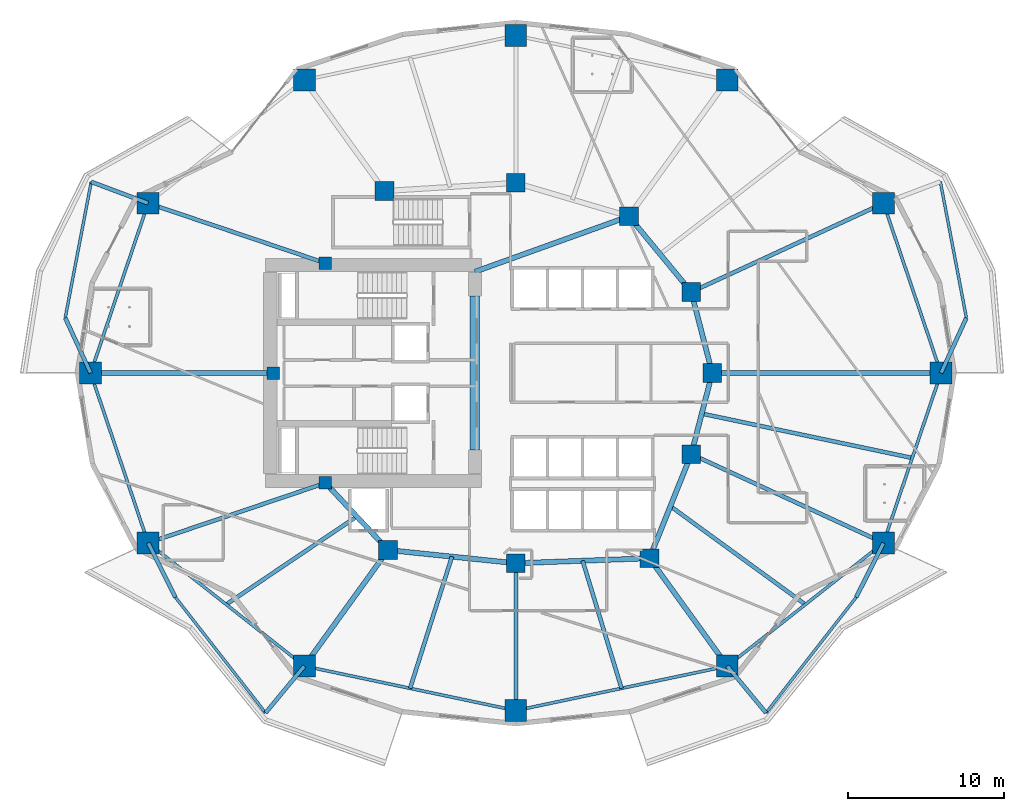
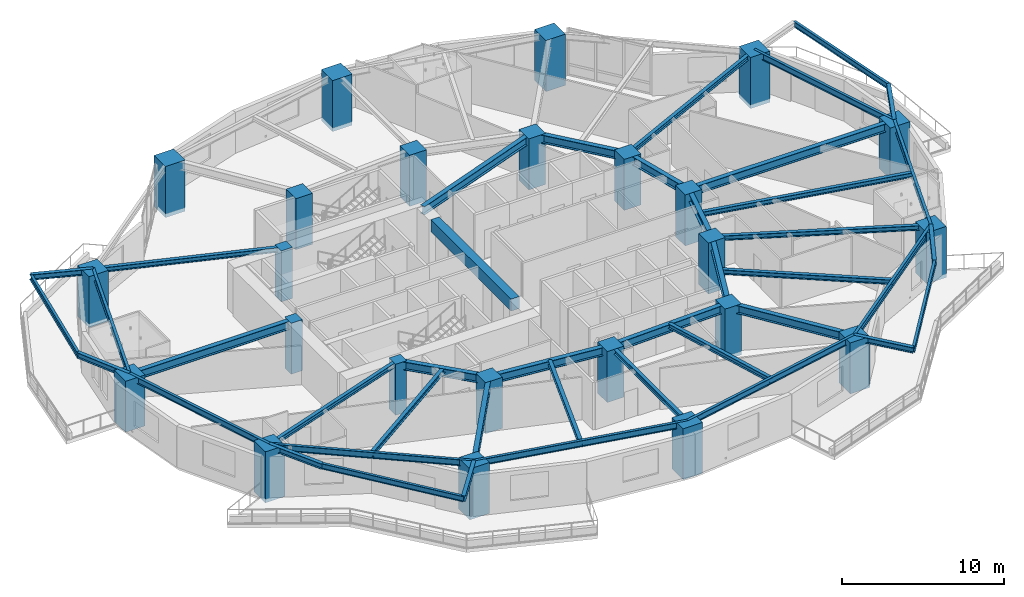
# One storey, part 1 of 18: 42 beams, 24 columns.
"""IFC4 building model written with IfcOpenShell, lengths in metres."""

from ifc_helpers import new_model, si_unit, direction, frame, origin, origin_2d, place, context, subcontext, project, spatial, rectangle, i_section, extrude, material, material_profile, profile_set, type_object, element, save


model = new_model("IFC4")

# Units and contexts
model_context = context("Model", 3, precision=1e-05, world=origin(), true_north=direction((0.0, 1.0)))
body_context = subcontext(model_context, "Body", "Model", "MODEL_VIEW")
ifc_project = project(units=[si_unit("LENGTHUNIT", "METRE"), si_unit("AREAUNIT", "SQUARE_METRE"), si_unit("VOLUMEUNIT", "CUBIC_METRE"), si_unit("PLANEANGLEUNIT", "RADIAN"), si_unit("MASSUNIT", "GRAM", prefix="KILO")], contexts=[model_context])

# Site, building, storey
site_placement = place(None, origin())
site = spatial("IfcSite", under=ifc_project, at=site_placement, CompositionType="ELEMENT")
building_placement = place(site_placement, origin())
building = spatial("IfcBuilding", under=site, at=building_placement, Name="Kolvaren Gate Tower and Convention Centre", CompositionType="ELEMENT")
storey_placement = place(building_placement, frame((0.0, 0.0, 30.35009765625)))
storey = spatial("IfcBuildingStorey", under=building, at=storey_placement, Name="L06", CompositionType="ELEMENT", Elevation=30.35009765625)

# Columns
ifc_material_1 = material(Name="Concrete C70/85", Category="concrete")
ifc_material_profile_1 = material_profile(ifc_material_1, rectangle(XDim=1.199951171875, YDim=1.199951171875, at=origin_2d()), Name="RC-COL-1200X1200")
ifc_profile_set_1 = profile_set([ifc_material_profile_1], Name="Concrete C70/85")
column_type_1 = type_object("IfcColumnType", Name="STR-COL-RC1200", PredefinedType="COLUMN", material=ifc_profile_set_1)
for number, where, z_axis, x_axis, name in (
    (1, (42.72509765625, 27.0, -0.280029296875), (0.0, 0.0, 1.0), (1.0, 0.0, 0.0), "Tower L06 Interior Column TI-01"),
    (2, (41.382080078125, 32.199462890625, -0.280029296875), (0.0, 0.0, 1.0), (1.0, 0.0, 0.0), "Tower L06 Interior Column TI-02"),
    (3, (37.381591796875, 37.054931640625, -0.280029296875), (0.0, 0.0, 1.0), (1.0, 0.0, 0.0), "Tower L06 Interior Column TI-03"),
    (4, (30.125, 39.199951171875, -0.280029296875), (0.0, 0.0, 1.0), (1.0, 0.0, 0.0), "Tower L06 Interior Column TI-04"),
    (5, (21.697998046875, 38.6767578125, -0.280029296875), (0.0, 0.0, 1.0), (1.0, 0.0, 0.0), "Tower L06 Interior Column TI-05"),
    (6, (21.93212890625, 15.647705078125, -0.280029296875), (0.0, 0.0, 1.0), (1.0, 0.0, 0.0), "Tower L06 Interior Column TI-06"),
    (7, (30.125, 14.800048828125, -0.280029296875), (0.0, 0.0, 1.0), (1.0, 0.0, 0.0), "Tower L06 Interior Column TI-07"),
    (8, (38.6982421875, 15.12060546875, -0.280029296875), (0.0, 0.0, 1.0), (1.0, 0.0, 0.0), "Tower L06 Interior Column TI-08"),
    (9, (41.382080078125, 21.800537109375, -0.280029296875), (0.0, 0.0, 1.0), (1.0, 0.0, 0.0), "Tower L06 Interior Column TI-09"),
):
    element("IfcColumn", number, at=place(storey_placement, frame(where, z_axis=z_axis, x_axis=x_axis)), inside=storey, type_object=column_type_1, Name=name, PredefinedType="COLUMN", context=body_context, shape_type="SweptSolid", body=[
        extrude(rectangle(XDim=1.199951171875, YDim=1.199951171875, at=origin_2d()), origin(), (0.0, 0.0, 1.0), 3.849853515625),
    ])
ifc_material_profile_2 = material_profile(ifc_material_1, rectangle(XDim=1.39990234375, YDim=1.39990234375, at=origin_2d()), Name="RC-COL-1400X1400")
ifc_profile_set_2 = profile_set([ifc_material_profile_2], Name="Concrete C70/85")
column_type_2 = type_object("IfcColumnType", Name="STR-COL-RC1400", PredefinedType="COLUMN", material=ifc_profile_set_2)
for number, where, z_axis, x_axis, name in (
    (10, (57.39990234375, 27.0, -0.280029296875), (0.0, 0.0, 1.0), (1.0, 0.0, 0.0), "Tower L06 Perimeter Supercolumn TP-01"),
    (11, (53.710205078125, 37.8935546875, -0.280029296875), (0.0, 0.0, 1.0), (1.0, 0.0, 0.0), "Tower L06 Perimeter Supercolumn TP-02"),
    (12, (43.690185546875, 45.79638671875, -0.280029296875), (0.0, 0.0, 1.0), (1.0, 0.0, 0.0), "Tower L06 Perimeter Supercolumn TP-03"),
    (13, (30.125, 48.64990234375, -0.280029296875), (0.0, 0.0, 1.0), (1.0, 0.0, 0.0), "Tower L06 Perimeter Supercolumn TP-04"),
    (14, (16.559814453125, 45.79638671875, -0.280029296875), (0.0, 0.0, 1.0), (1.0, 0.0, 0.0), "Tower L06 Perimeter Supercolumn TP-05"),
    (15, (6.539794921875, 37.8935546875, -0.280029296875), (0.0, 0.0, 1.0), (1.0, 0.0, 0.0), "Tower L06 Perimeter Supercolumn TP-06"),
    (16, (2.85009765625, 27.0, -0.280029296875), (0.0, 0.0, 1.0), (1.0, 0.0, 0.0), "Tower L06 Perimeter Supercolumn TP-07"),
    (17, (6.539794921875, 16.1064453125, -0.280029296875), (0.0, 0.0, 1.0), (1.0, 0.0, 0.0), "Tower L06 Perimeter Supercolumn TP-08"),
    (18, (16.559814453125, 8.20361328125, -0.280029296875), (0.0, 0.0, 1.0), (1.0, 0.0, 0.0), "Tower L06 Perimeter Supercolumn TP-09"),
    (19, (30.125, 5.35009765625, -0.280029296875), (0.0, 0.0, 1.0), (1.0, 0.0, 0.0), "Tower L06 Perimeter Supercolumn TP-10"),
    (20, (43.690185546875, 8.20361328125, -0.280029296875), (0.0, 0.0, 1.0), (1.0, 0.0, 0.0), "Tower L06 Perimeter Supercolumn TP-11"),
    (21, (53.710205078125, 16.1064453125, -0.280029296875), (0.0, 0.0, 1.0), (1.0, 0.0, 0.0), "Tower L06 Perimeter Supercolumn TP-12"),
):
    element("IfcColumn", number, at=place(storey_placement, frame(where, z_axis=z_axis, x_axis=x_axis)), inside=storey, type_object=column_type_2, Name=name, PredefinedType="COLUMN", context=body_context, shape_type="SweptSolid", body=[
        extrude(rectangle(XDim=1.39990234375, YDim=1.39990234375, at=origin_2d()), origin(), (0.0, 0.0, 1.0), 3.849853515625),
    ])
ifc_material_2 = material(Name="Concrete C60/75", Category="concrete")
ifc_material_profile_3 = material_profile(ifc_material_2, rectangle(XDim=0.800048828125, YDim=0.800048828125, at=origin_2d()), Name="RC-COL-800X800")
ifc_profile_set_3 = profile_set([ifc_material_profile_3], Name="Concrete C60/75")
column_type_3 = type_object("IfcColumnType", Name="STR-PIL-RC800", PredefinedType="PILASTER", material=ifc_profile_set_3)
for number, where, z_axis, x_axis, name in (
    (22, (17.9140625, 34.050048828125, -0.280029296875), (0.0, 0.0, 1.0), (1.0, 0.0, 0.0), "Tower L06 Core Boundary Pilaster TC-05"),
    (23, (14.550048828125, 27.0, -0.280029296875), (0.0, 0.0, 1.0), (1.0, 0.0, 0.0), "Tower L06 Core Boundary Pilaster TC-06"),
    (24, (17.9140625, 19.949951171875, -0.280029296875), (0.0, 0.0, 1.0), (1.0, 0.0, 0.0), "Tower L06 Core Boundary Pilaster TC-07"),
):
    element("IfcColumn", number, at=place(storey_placement, frame(where, z_axis=z_axis, x_axis=x_axis)), inside=storey, type_object=column_type_3, Name=name, PredefinedType="PILASTER", context=body_context, shape_type="SweptSolid", body=[
        extrude(rectangle(XDim=0.800048828125, YDim=0.800048828125, at=origin_2d()), origin(), (0.0, 0.0, 1.0), 3.849853515625),
    ])

# Beams
ifc_material_3 = material(Name="Structural steel ASTM A992 Grade 345 MPa", Category="steel")
ifc_material_profile_4 = material_profile(ifc_material_3, i_section(OverallWidth=0.260009765625, OverallDepth=0.419921875, WebThickness=0.013427734375, FlangeThickness=0.0224609375, at=origin_2d()), Name="W410X132")
ifc_profile_set_4 = profile_set([ifc_material_profile_4], Name="Structural steel ASTM A992 Grade 345 MPa")
beam_type_1 = type_object("IfcBeamType", Name="STR-BM-W410X132", PredefinedType="BEAM", material=ifc_profile_set_4)
beam_1_placement = place(storey_placement, frame((57.39990234375, 27.0, 3.3603515625), z_axis=(0.417803301824, 0.908537506648, 0.0), x_axis=(-0.908537506648, 0.417803301824, 0.0)))
element("IfcBeam", 25, at=beam_1_placement, inside=storey, type_object=beam_type_1, Name="Tower L07 Planted Balcony Outrigger Cantilever BC-1A", PredefinedType="BEAM", context=body_context, shape_type="SweptSolid", body=[
    extrude(i_section(OverallWidth=0.260009765625, OverallDepth=0.419921875, WebThickness=0.013427734375, FlangeThickness=0.0224609375, at=origin_2d()), origin(), (0.0, 0.0, 1.0), 3.89990234375),
])
for number, where, z_axis, x_axis, name in (
    (26, (6.539794921875, 37.8935546875, 3.3603515625), (-0.935978844887, 0.352056248238, 0.0), (-0.352056248238, -0.935978844887, 0.0), "Tower L07 Planted Balcony Outrigger Cantilever BC-2A"),
    (27, (2.85009765625, 27.0, 3.3603515625), (-0.41777954008, 0.908548433431, 0.0), (-0.908548433431, -0.41777954008, 0.0), "Tower L07 Planted Balcony Outrigger Cantilever BC-2B"),
    (28, (6.539794921875, 16.1064453125, 3.3603515625), (0.448264934313, -0.893900748778, 0.0), (0.893900748778, 0.448264934313, 0.0), "Tower L07 Planted Balcony Outrigger Cantilever BC-3A"),
):
    element("IfcBeam", number, at=place(storey_placement, frame(where, z_axis=z_axis, x_axis=x_axis)), inside=storey, type_object=beam_type_1, Name=name, PredefinedType="BEAM", context=body_context, shape_type="SweptSolid", body=[
        extrude(i_section(OverallWidth=0.260009765625, OverallDepth=0.419921875, WebThickness=0.013427734375, FlangeThickness=0.0224609375, at=origin_2d()), origin(), (0.0, 0.0, 1.0), 3.900146484375),
    ])
for number, where, z_axis, x_axis, name in (
    (29, (16.559814453125, 8.20361328125, 3.3603515625), (-0.637866192119, -0.770147207326, 0.0), (0.770147207326, -0.637866192119, 0.0), "Tower L07 Planted Balcony Outrigger Cantilever BC-3B"),
    (30, (43.690185546875, 8.20361328125, 3.3603515625), (0.637866192119, -0.770147207326, 0.0), (0.770147207326, 0.637866192119, 0.0), "Tower L07 Planted Balcony Outrigger Cantilever BC-4A"),
):
    element("IfcBeam", number, at=place(storey_placement, frame(where, z_axis=z_axis, x_axis=x_axis)), inside=storey, type_object=beam_type_1, Name=name, PredefinedType="BEAM", context=body_context, shape_type="SweptSolid", body=[
        extrude(i_section(OverallWidth=0.260009765625, OverallDepth=0.419921875, WebThickness=0.013427734375, FlangeThickness=0.0224609375, at=origin_2d()), origin(), (0.0, 0.0, 1.0), 3.89990234375),
    ])
beam_2_placement = place(storey_placement, frame((53.710205078125, 16.1064453125, 3.3603515625), z_axis=(-0.448264934313, -0.893900748778, 0.0), x_axis=(0.893900748778, -0.448264934313, 0.0)))
element("IfcBeam", 31, at=beam_2_placement, inside=storey, type_object=beam_type_1, Name="Tower L07 Planted Balcony Outrigger Cantilever BC-4B", PredefinedType="BEAM", context=body_context, shape_type="SweptSolid", body=[
    extrude(i_section(OverallWidth=0.260009765625, OverallDepth=0.419921875, WebThickness=0.013427734375, FlangeThickness=0.0224609375, at=origin_2d()), origin(), (0.0, 0.0, 1.0), 3.900146484375),
])
ifc_material_profile_5 = material_profile(ifc_material_3, i_section(OverallWidth=0.327880859375, OverallDepth=0.6279296875, WebThickness=0.0166015625, FlangeThickness=0.027587890625, at=origin_2d()), Name="W610X217")
ifc_profile_set_5 = profile_set([ifc_material_profile_5], Name="Structural steel ASTM A992 Grade 345 MPa")
beam_type_2 = type_object("IfcBeamType", Name="STR-BM-W610X217", PredefinedType="BEAM", material=ifc_profile_set_5)
beam_3_placement = place(storey_placement, frame((42.72509765625, 27.0, 3.255859375), z_axis=(-0.250091133936, -0.968222301296, 0.0), x_axis=(0.968222301296, -0.250091133936, 0.0)))
element("IfcBeam", 32, at=beam_3_placement, inside=storey, type_object=beam_type_2, Name="Tower L06 Primary Ring Girder G-01", PredefinedType="BEAM", context=body_context, shape_type="SweptSolid", body=[
    extrude(i_section(OverallWidth=0.327880859375, OverallDepth=0.6279296875, WebThickness=0.0166015625, FlangeThickness=0.027587890625, at=origin_2d()), origin(), (0.0, 0.0, 1.0), 5.3701171875),
])
beam_4_placement = place(storey_placement, frame((41.382080078125, 32.199462890625, 3.255859375), z_axis=(-0.635884066011, 0.771784590798, 0.0), x_axis=(-0.771784590798, -0.635884066011, 0.0)))
element("IfcBeam", 33, at=beam_4_placement, inside=storey, type_object=beam_type_2, Name="Tower L06 Primary Ring Girder G-02", PredefinedType="BEAM", context=body_context, shape_type="SweptSolid", body=[
    extrude(i_section(OverallWidth=0.327880859375, OverallDepth=0.6279296875, WebThickness=0.0166015625, FlangeThickness=0.027587890625, at=origin_2d()), origin(), (0.0, 0.0, 1.0), 6.291259765625),
])
beam_5_placement = place(storey_placement, frame((17.9140625, 19.949951171875, 3.255859375), z_axis=(0.682557592987, -0.730831808459, 0.0), x_axis=(0.730831808459, 0.682557592987, 0.0)))
element("IfcBeam", 34, at=beam_5_placement, inside=storey, type_object=beam_type_2, Name="Tower L06 Primary Ring Girder G-06", PredefinedType="BEAM", context=body_context, shape_type="SweptSolid", body=[
    extrude(i_section(OverallWidth=0.327880859375, OverallDepth=0.6279296875, WebThickness=0.0166015625, FlangeThickness=0.027587890625, at=origin_2d()), origin(), (0.0, 0.0, 1.0), 5.88671875),
])
beam_6_placement = place(storey_placement, frame((21.93212890625, 15.647705078125, 3.255859375), z_axis=(0.994690329115, -0.102913308978, 0.0), x_axis=(0.102913308978, 0.994690329115, 0.0)))
element("IfcBeam", 35, at=beam_6_placement, inside=storey, type_object=beam_type_2, Name="Tower L06 Primary Ring Girder G-07", PredefinedType="BEAM", context=body_context, shape_type="SweptSolid", body=[
    extrude(i_section(OverallWidth=0.327880859375, OverallDepth=0.6279296875, WebThickness=0.0166015625, FlangeThickness=0.027587890625, at=origin_2d()), origin(), (0.0, 0.0, 1.0), 8.236572265625),
])
beam_7_placement = place(storey_placement, frame((30.125, 14.800048828125, 3.255859375), z_axis=(0.999301712453, 0.037364254142, 0.0), x_axis=(-0.037364254142, 0.999301712453, 0.0)))
element("IfcBeam", 36, at=beam_7_placement, inside=storey, type_object=beam_type_2, Name="Tower L06 Primary Ring Girder G-08", PredefinedType="BEAM", context=body_context, shape_type="SweptSolid", body=[
    extrude(i_section(OverallWidth=0.327880859375, OverallDepth=0.6279296875, WebThickness=0.0166015625, FlangeThickness=0.027587890625, at=origin_2d()), origin(), (0.0, 0.0, 1.0), 8.579345703125),
])
beam_8_placement = place(storey_placement, frame((38.6982421875, 15.12060546875, 3.255859375), z_axis=(0.372811100169, 0.927907260232, 0.0), x_axis=(-0.927907260232, 0.372811100169, 0.0)))
element("IfcBeam", 37, at=beam_8_placement, inside=storey, type_object=beam_type_2, Name="Tower L06 Primary Ring Girder G-09", PredefinedType="BEAM", context=body_context, shape_type="SweptSolid", body=[
    extrude(i_section(OverallWidth=0.327880859375, OverallDepth=0.6279296875, WebThickness=0.0166015625, FlangeThickness=0.027587890625, at=origin_2d()), origin(), (0.0, 0.0, 1.0), 7.198974609375),
])
beam_9_placement = place(storey_placement, frame((27.5, 33.5, 3.255859375), z_axis=(0.940961479908, 0.338513653093, 0.0), x_axis=(-0.338513653093, 0.940961479908, 0.0)))
element("IfcBeam", 38, at=beam_9_placement, inside=storey, type_object=beam_type_2, Name="Tower L06 Primary Ring Girder G-10", PredefinedType="BEAM", context=body_context, shape_type="SweptSolid", body=[
    extrude(i_section(OverallWidth=0.327880859375, OverallDepth=0.6279296875, WebThickness=0.0166015625, FlangeThickness=0.027587890625, at=origin_2d()), origin(), (0.0, 0.0, 1.0), 10.501708984375),
])
beam_10_placement = place(storey_placement, frame((42.72509765625, 27.0, 3.255859375), z_axis=(-0.250091133936, 0.968222301296, 0.0), x_axis=(-0.968222301296, -0.250091133936, 0.0)))
element("IfcBeam", 39, at=beam_10_placement, inside=storey, type_object=beam_type_2, Name="Tower L06 Primary Ring Girder G-12", PredefinedType="BEAM", context=body_context, shape_type="SweptSolid", body=[
    extrude(i_section(OverallWidth=0.327880859375, OverallDepth=0.6279296875, WebThickness=0.0166015625, FlangeThickness=0.027587890625, at=origin_2d()), origin(), (0.0, 0.0, 1.0), 5.3701171875),
])
beam_11_placement = place(storey_placement, frame((42.72509765625, 27.0, 3.255859375), z_axis=(1.0, 0.0, 0.0), x_axis=(0.0, 1.0, 0.0)))
element("IfcBeam", 40, at=beam_11_placement, inside=storey, type_object=beam_type_2, Name="Tower L06 Radial Floor Girder RB-01", PredefinedType="BEAM", context=body_context, shape_type="SweptSolid", body=[
    extrude(i_section(OverallWidth=0.327880859375, OverallDepth=0.6279296875, WebThickness=0.0166015625, FlangeThickness=0.027587890625, at=origin_2d()), origin(), (0.0, 0.0, 1.0), 14.6748046875),
])
beam_12_placement = place(storey_placement, frame((14.550048828125, 27.0, 3.255859375), z_axis=(-1.0, 0.0, 0.0), x_axis=(0.0, -1.0, 0.0)))
element("IfcBeam", 41, at=beam_12_placement, inside=storey, type_object=beam_type_2, Name="Tower L06 Radial Floor Girder RB-07", PredefinedType="BEAM", context=body_context, shape_type="SweptSolid", body=[
    extrude(i_section(OverallWidth=0.327880859375, OverallDepth=0.6279296875, WebThickness=0.0166015625, FlangeThickness=0.027587890625, at=origin_2d()), origin(), (0.0, 0.0, 1.0), 11.699951171875),
])
beam_13_placement = place(storey_placement, frame((21.93212890625, 15.647705078125, 3.255859375), z_axis=(-0.585206018873, -0.810884649919, 0.0), x_axis=(0.810884649919, -0.585206018873, 0.0)))
element("IfcBeam", 42, at=beam_13_placement, inside=storey, type_object=beam_type_2, Name="Tower L06 Radial Floor Girder RB-09", PredefinedType="BEAM", context=body_context, shape_type="SweptSolid", body=[
    extrude(i_section(OverallWidth=0.327880859375, OverallDepth=0.6279296875, WebThickness=0.0166015625, FlangeThickness=0.027587890625, at=origin_2d()), origin(), (0.0, 0.0, 1.0), 9.18017578125),
])
beam_14_placement = place(storey_placement, frame((38.6982421875, 15.12060546875, 3.255859375), z_axis=(0.585208374732, -0.810882949718, 0.0), x_axis=(0.810882949718, 0.585208374732, 0.0)))
element("IfcBeam", 43, at=beam_14_placement, inside=storey, type_object=beam_type_2, Name="Tower L06 Radial Floor Girder RB-11", PredefinedType="BEAM", context=body_context, shape_type="SweptSolid", body=[
    extrude(i_section(OverallWidth=0.327880859375, OverallDepth=0.6279296875, WebThickness=0.0166015625, FlangeThickness=0.027587890625, at=origin_2d()), origin(), (0.0, 0.0, 1.0), 8.5302734375),
])
ifc_material_profile_6 = material_profile(ifc_material_3, i_section(OverallWidth=0.2548828125, OverallDepth=0.35693359375, WebThickness=0.010498046875, FlangeThickness=0.018310546875, at=origin_2d()), Name="W360X101")
ifc_profile_set_6 = profile_set([ifc_material_profile_6], Name="Structural steel ASTM A992 Grade 345 MPa")
beam_type_3 = type_object("IfcBeamType", Name="STR-JS-W360X101", PredefinedType="JOIST", material=ifc_profile_set_6)
beam_15_placement = place(storey_placement, frame((41.382080078125, 32.199462890625, 3.391357421875), z_axis=(0.907842006347, 0.419312403241, 0.0), x_axis=(-0.419312403241, 0.907842006347, 0.0)))
element("IfcBeam", 44, at=beam_15_placement, inside=storey, type_object=beam_type_3, Name="Tower L06 Radial Floor Girder RB-02", PredefinedType="JOIST", context=body_context, shape_type="SweptSolid", body=[
    extrude(i_section(OverallWidth=0.2548828125, OverallDepth=0.35693359375, WebThickness=0.010498046875, FlangeThickness=0.018310546875, at=origin_2d()), origin(), (0.0, 0.0, 1.0), 13.57958984375),
])
for number, where, z_axis, x_axis, name in (
    (45, (17.9140625, 34.050048828125, 3.391357421875), (-0.947373842609, 0.320129352512, 0.0), (-0.320129352512, -0.947373842609, 0.0), "Tower L06 Radial Floor Girder RB-06"),
    (46, (17.9140625, 19.949951171875, 3.391357421875), (-0.947373842609, -0.320129352512, 0.0), (0.320129352512, -0.947373842609, 0.0), "Tower L06 Radial Floor Girder RB-08"),
):
    element("IfcBeam", number, at=place(storey_placement, frame(where, z_axis=z_axis, x_axis=x_axis)), inside=storey, type_object=beam_type_3, Name=name, PredefinedType="JOIST", context=body_context, shape_type="SweptSolid", body=[
        extrude(i_section(OverallWidth=0.2548828125, OverallDepth=0.35693359375, WebThickness=0.010498046875, FlangeThickness=0.018310546875, at=origin_2d()), origin(), (0.0, 0.0, 1.0), 12.006103515625),
    ])
beam_16_placement = place(storey_placement, frame((30.125, 14.800048828125, 3.391357421875), z_axis=(0.0, -1.0, 0.0), x_axis=(1.0, 0.0, 0.0)))
element("IfcBeam", 47, at=beam_16_placement, inside=storey, type_object=beam_type_3, Name="Tower L06 Radial Floor Girder RB-10", PredefinedType="JOIST", context=body_context, shape_type="SweptSolid", body=[
    extrude(i_section(OverallWidth=0.2548828125, OverallDepth=0.35693359375, WebThickness=0.010498046875, FlangeThickness=0.018310546875, at=origin_2d()), origin(), (0.0, 0.0, 1.0), 9.449951171875),
])
beam_17_placement = place(storey_placement, frame((41.382080078125, 21.800537109375, 3.391357421875), z_axis=(0.907842006347, -0.419312403241, 0.0), x_axis=(0.419312403241, 0.907842006347, 0.0)))
element("IfcBeam", 48, at=beam_17_placement, inside=storey, type_object=beam_type_3, Name="Tower L06 Radial Floor Girder RB-12", PredefinedType="JOIST", context=body_context, shape_type="SweptSolid", body=[
    extrude(i_section(OverallWidth=0.2548828125, OverallDepth=0.35693359375, WebThickness=0.010498046875, FlangeThickness=0.018310546875, at=origin_2d()), origin(), (0.0, 0.0, 1.0), 13.57958984375),
])
beam_18_placement = place(storey_placement, frame((19.923095703125, 17.798828125, 3.391357421875), z_axis=(-0.829223797874, -0.558916713866, 0.0), x_axis=(0.558916713866, -0.829223797874, 0.0)))
element("IfcBeam", 49, at=beam_18_placement, inside=storey, type_object=beam_type_3, Name="Tower L06 Secondary Composite Floor Joist J-08.1", PredefinedType="JOIST", context=body_context, shape_type="SweptSolid", body=[
    extrude(i_section(OverallWidth=0.2548828125, OverallDepth=0.35693359375, WebThickness=0.010498046875, FlangeThickness=0.018310546875, at=origin_2d()), origin(), (0.0, 0.0, 1.0), 10.09765625),
])
beam_19_placement = place(storey_placement, frame((26.028564453125, 15.223876953125, 3.391357421875), z_axis=(-0.303059270932, -0.952971709078, 0.0), x_axis=(0.952971709078, -0.303059270932, 0.0)))
element("IfcBeam", 50, at=beam_19_placement, inside=storey, type_object=beam_type_3, Name="Tower L06 Secondary Composite Floor Joist J-09.1", PredefinedType="JOIST", context=body_context, shape_type="SweptSolid", body=[
    extrude(i_section(OverallWidth=0.2548828125, OverallDepth=0.35693359375, WebThickness=0.010498046875, FlangeThickness=0.018310546875, at=origin_2d()), origin(), (0.0, 0.0, 1.0), 8.86376953125),
])
beam_20_placement = place(storey_placement, frame((34.41162109375, 14.960205078125, 3.391357421875), z_axis=(0.291750890749, -0.956494337541, 0.0), x_axis=(0.956494337541, 0.291750890749, 0.0)))
element("IfcBeam", 51, at=beam_20_placement, inside=storey, type_object=beam_type_3, Name="Tower L06 Secondary Composite Floor Joist J-10.1", PredefinedType="JOIST", context=body_context, shape_type="SweptSolid", body=[
    extrude(i_section(OverallWidth=0.2548828125, OverallDepth=0.35693359375, WebThickness=0.010498046875, FlangeThickness=0.018310546875, at=origin_2d()), origin(), (0.0, 0.0, 1.0), 8.5556640625),
])
beam_21_placement = place(storey_placement, frame((40.040283203125, 18.46044921875, 3.391357421875), z_axis=(0.808411716387, -0.588617445212, 0.0), x_axis=(0.588617445212, 0.808411716387, 0.0)))
element("IfcBeam", 52, at=beam_21_placement, inside=storey, type_object=beam_type_3, Name="Tower L06 Secondary Composite Floor Joist J-11.1", PredefinedType="JOIST", context=body_context, shape_type="SweptSolid", body=[
    extrude(i_section(OverallWidth=0.2548828125, OverallDepth=0.35693359375, WebThickness=0.010498046875, FlangeThickness=0.018310546875, at=origin_2d()), origin(), (0.0, 0.0, 1.0), 10.712158203125),
])
beam_22_placement = place(storey_placement, frame((42.0537109375, 24.400146484375, 3.391357421875), z_axis=(0.978483842038, -0.206323461756, 0.0), x_axis=(0.206323461756, 0.978483842038, 0.0)))
element("IfcBeam", 53, at=beam_22_placement, inside=storey, type_object=beam_type_3, Name="Tower L06 Secondary Composite Floor Joist J-12.1", PredefinedType="JOIST", context=body_context, shape_type="SweptSolid", body=[
    extrude(i_section(OverallWidth=0.2548828125, OverallDepth=0.35693359375, WebThickness=0.010498046875, FlangeThickness=0.018310546875, at=origin_2d()), origin(), (0.0, 0.0, 1.0), 13.79833984375),
])
ifc_material_profile_7 = material_profile(ifc_material_2, rectangle(XDim=0.60009765625, YDim=0.89990234375, at=origin_2d()), Name="RC-BM-600X900")
ifc_profile_set_7 = profile_set([ifc_material_profile_7], Name="Concrete C60/75")
beam_type_4 = type_object("IfcBeamType", Name="STR-LN-RC600X900", PredefinedType="LINTEL", material=ifc_profile_set_7)
beam_23_placement = place(storey_placement, frame((27.5, 22.050048828125, 3.119873046875), z_axis=(0.0, 1.0, 0.0), x_axis=(-1.0, 0.0, 0.0)))
element("IfcBeam", 54, at=beam_23_placement, inside=storey, type_object=beam_type_4, Name="Tower L06 Core Ductile Coupling Beam CB-01", PredefinedType="LINTEL", context=body_context, shape_type="SweptSolid", body=[
    extrude(rectangle(XDim=0.60009765625, YDim=0.89990234375, at=origin_2d()), origin(), (0.0, 0.0, 1.0), 9.89990234375),
])
ifc_material_profile_8 = material_profile(ifc_material_3, i_section(OverallWidth=0.180908203125, OverallDepth=0.4169921875, WebThickness=0.010986328125, FlangeThickness=0.018310546875, at=origin_2d()), Name="W410X85")
ifc_profile_set_8 = profile_set([ifc_material_profile_8], Name="Structural steel ASTM A992 Grade 345 MPa")
beam_type_5 = type_object("IfcBeamType", Name="STR-SP-W410X85", PredefinedType="SPANDREL", material=ifc_profile_set_8)
beam_24_placement = place(storey_placement, frame((59.029296875, 30.543212890625, 3.36181640625), z_axis=(-0.188028301932, 0.98216361044, 0.0), x_axis=(-0.98216361044, -0.188028301932, 0.0)))
element("IfcBeam", 55, at=beam_24_placement, inside=storey, type_object=beam_type_5, Name="Tower L07 Planted Balcony Header Tie Beam BT-1", PredefinedType="SPANDREL", context=body_context, shape_type="SweptSolid", body=[
    extrude(i_section(OverallWidth=0.180908203125, OverallDepth=0.4169921875, WebThickness=0.010986328125, FlangeThickness=0.018310546875, at=origin_2d()), origin(), (0.0, 0.0, 1.0), 8.888916015625),
])
beam_25_placement = place(storey_placement, frame((2.889404296875, 39.2666015625, 3.36181640625), z_axis=(-0.187888905925, -0.982190286569, 0.0), x_axis=(0.982190286569, -0.187888905925, 0.0)))
element("IfcBeam", 56, at=beam_25_placement, inside=storey, type_object=beam_type_5, Name="Tower L07 Planted Balcony Header Tie Beam BT-2", PredefinedType="SPANDREL", context=body_context, shape_type="SweptSolid", body=[
    extrude(i_section(OverallWidth=0.180908203125, OverallDepth=0.4169921875, WebThickness=0.010986328125, FlangeThickness=0.018310546875, at=origin_2d()), origin(), (0.0, 0.0, 1.0), 8.88134765625),
])
for number, where, z_axis, x_axis, name in (
    (57, (8.2880859375, 12.6201171875, 3.36181640625), (0.614809768984, -0.788675438924, 0.0), (0.788675438924, 0.614809768984, 0.0), "Tower L07 Planted Balcony Header Tie Beam BT-3"),
    (58, (46.177734375, 5.2001953125, 3.36181640625), (0.614809768984, 0.788675438924, 0.0), (-0.788675438924, 0.614809768984, 0.0), "Tower L07 Planted Balcony Header Tie Beam BT-4"),
):
    element("IfcBeam", number, at=place(storey_placement, frame(where, z_axis=z_axis, x_axis=x_axis)), inside=storey, type_object=beam_type_5, Name=name, PredefinedType="SPANDREL", context=body_context, shape_type="SweptSolid", body=[
        extrude(i_section(OverallWidth=0.180908203125, OverallDepth=0.4169921875, WebThickness=0.010986328125, FlangeThickness=0.018310546875, at=origin_2d()), origin(), (0.0, 0.0, 1.0), 9.407958984375),
    ])
ifc_material_profile_9 = material_profile(ifc_material_3, i_section(OverallWidth=0.194091796875, OverallDepth=0.468994140625, WebThickness=0.0126953125, FlangeThickness=0.0205078125, at=origin_2d()), Name="W460X106")
ifc_profile_set_9 = profile_set([ifc_material_profile_9], Name="Structural steel ASTM A992 Grade 345 MPa")
beam_type_6 = type_object("IfcBeamType", Name="STR-SP-W460X106", PredefinedType="SPANDREL", material=ifc_profile_set_9)
for number, where, z_axis, x_axis, name in (
    (59, (57.39990234375, 27.0, 3.33544921875), (-0.320802733798, 0.947146032029, 0.0), (-0.947146032029, -0.320802733798, 0.0), "Tower L06 Perimeter Spandrel Beam SP-01"),
    (60, (6.539794921875, 37.8935546875, 3.33544921875), (-0.320802733798, -0.947146032029, 0.0), (0.947146032029, -0.320802733798, 0.0), "Tower L06 Perimeter Spandrel Beam SP-06"),
    (61, (2.85009765625, 27.0, 3.33544921875), (0.320802733798, -0.947146032029, 0.0), (0.947146032029, 0.320802733798, 0.0), "Tower L06 Perimeter Spandrel Beam SP-07"),
):
    element("IfcBeam", number, at=place(storey_placement, frame(where, z_axis=z_axis, x_axis=x_axis)), inside=storey, type_object=beam_type_6, Name=name, PredefinedType="SPANDREL", context=body_context, shape_type="SweptSolid", body=[
        extrude(i_section(OverallWidth=0.194091796875, OverallDepth=0.468994140625, WebThickness=0.0126953125, FlangeThickness=0.0205078125, at=origin_2d()), origin(), (0.0, 0.0, 1.0), 11.50146484375),
    ])
beam_26_placement = place(storey_placement, frame((6.539794921875, 16.1064453125, 3.33544921875), z_axis=(0.785176498861, -0.619272044933, 0.0), x_axis=(0.619272044933, 0.785176498861, 0.0)))
element("IfcBeam", 62, at=beam_26_placement, inside=storey, type_object=beam_type_6, Name="Tower L06 Perimeter Spandrel Beam SP-08", PredefinedType="SPANDREL", context=body_context, shape_type="SweptSolid", body=[
    extrude(i_section(OverallWidth=0.194091796875, OverallDepth=0.468994140625, WebThickness=0.0126953125, FlangeThickness=0.0205078125, at=origin_2d()), origin(), (0.0, 0.0, 1.0), 12.761474609375),
])
for number, where, z_axis, x_axis, name in (
    (63, (16.559814453125, 8.20361328125, 3.33544921875), (0.978583407863, -0.205850707685, 0.0), (0.205850707685, 0.978583407863, 0.0), "Tower L06 Perimeter Spandrel Beam SP-09"),
    (64, (30.125, 5.35009765625, 3.33544921875), (0.978583407863, 0.205850707685, 0.0), (-0.205850707685, 0.978583407863, 0.0), "Tower L06 Perimeter Spandrel Beam SP-10"),
):
    element("IfcBeam", number, at=place(storey_placement, frame(where, z_axis=z_axis, x_axis=x_axis)), inside=storey, type_object=beam_type_6, Name=name, PredefinedType="SPANDREL", context=body_context, shape_type="SweptSolid", body=[
        extrude(i_section(OverallWidth=0.194091796875, OverallDepth=0.468994140625, WebThickness=0.0126953125, FlangeThickness=0.0205078125, at=origin_2d()), origin(), (0.0, 0.0, 1.0), 13.862060546875),
    ])
beam_27_placement = place(storey_placement, frame((43.690185546875, 8.20361328125, 3.33544921875), z_axis=(0.785176498861, 0.619272044933, 0.0), x_axis=(-0.619272044933, 0.785176498861, 0.0)))
element("IfcBeam", 65, at=beam_27_placement, inside=storey, type_object=beam_type_6, Name="Tower L06 Perimeter Spandrel Beam SP-11", PredefinedType="SPANDREL", context=body_context, shape_type="SweptSolid", body=[
    extrude(i_section(OverallWidth=0.194091796875, OverallDepth=0.468994140625, WebThickness=0.0126953125, FlangeThickness=0.0205078125, at=origin_2d()), origin(), (0.0, 0.0, 1.0), 12.761474609375),
])
beam_28_placement = place(storey_placement, frame((53.710205078125, 16.1064453125, 3.33544921875), z_axis=(0.320802733798, 0.947146032029, 0.0), x_axis=(-0.947146032029, 0.320802733798, 0.0)))
element("IfcBeam", 66, at=beam_28_placement, inside=storey, type_object=beam_type_6, Name="Tower L06 Perimeter Spandrel Beam SP-12", PredefinedType="SPANDREL", context=body_context, shape_type="SweptSolid", body=[
    extrude(i_section(OverallWidth=0.194091796875, OverallDepth=0.468994140625, WebThickness=0.0126953125, FlangeThickness=0.0205078125, at=origin_2d()), origin(), (0.0, 0.0, 1.0), 11.50146484375),
])

save(model, "model.ifc")
